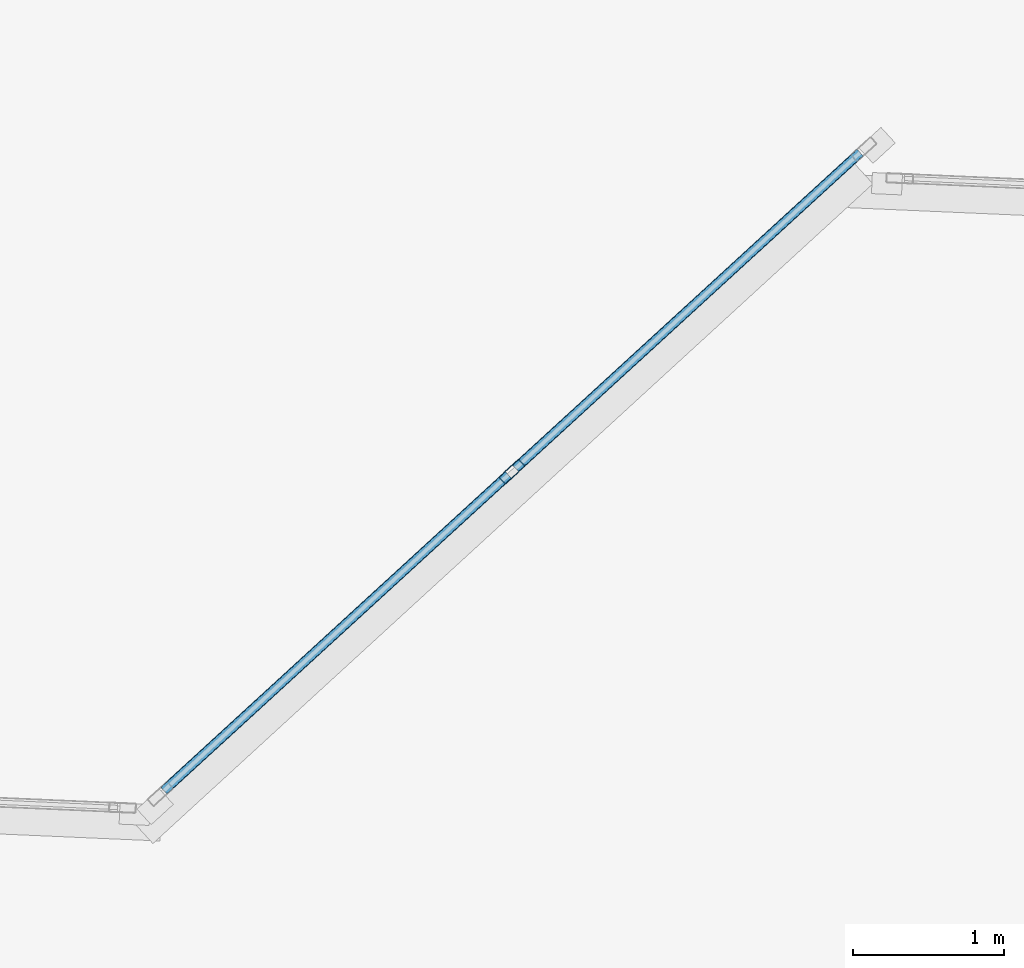
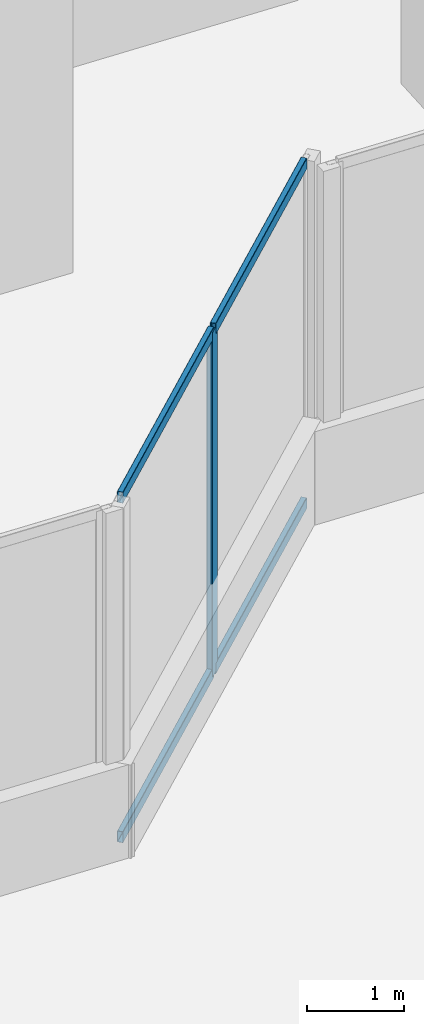
# One storey, part 7 of 33: 5 members, 1 element without a shape of its own.
"""IFC4 building model written with IfcOpenShell, lengths in metres."""

from ifc_helpers import new_model, si_unit, direction, frame, origin, origin_2d, place, context, subcontext, project, spatial, hollow_rectangle, extrude, source, transform, mapped, material, material_profile, profile_set, type_object, element, aggregate, save


model = new_model("IFC4")

# Units and contexts
model_context = context("Model", 3, precision=1e-05, world=origin(), true_north=direction((0.0, 1.0)))
body_context = subcontext(model_context, "Body", "Model", "MODEL_VIEW")
ifc_project = project(units=[si_unit("LENGTHUNIT", "METRE"), si_unit("AREAUNIT", "SQUARE_METRE"), si_unit("VOLUMEUNIT", "CUBIC_METRE"), si_unit("PLANEANGLEUNIT", "RADIAN"), si_unit("MASSUNIT", "GRAM", prefix="KILO")], contexts=[model_context])

# Site, building, storey
site_placement = place(None, origin())
site = spatial("IfcSite", under=ifc_project, at=site_placement, CompositionType="ELEMENT")
building_placement = place(site_placement, origin())
building = spatial("IfcBuilding", under=site, at=building_placement, Name="Torre Montelarca", CompositionType="ELEMENT")
storey_placement = place(building_placement, frame((0.0, 0.0, 32.800048828125)))
storey = spatial("IfcBuildingStorey", under=building, at=storey_placement, Name="L07", CompositionType="ELEMENT", Elevation=32.800048828125)

# Curtain wall, members
ifc_material_1 = material(Name="Insulated low-E laminated glass", Category="glass")
curtain_wall_type = type_object("IfcCurtainWallType", Name="CW-SYS-Z1", PredefinedType="USERDEFINED", material=ifc_material_1)
curtain_wall_placement = place(storey_placement, origin())
curtain_wall = element("IfcCurtainWall", 1, at=curtain_wall_placement, inside=storey, type_object=curtain_wall_type, Name="L07 Curtain Wall Run CW-T3-L07-E02-B1", ObjectType="UNITISED GLAZING", PredefinedType="USERDEFINED")
ifc_material_2 = material(Name="Anodised aluminium AA 6063-T6", Category="aluminium")
ifc_material_profile_1 = material_profile(ifc_material_2, hollow_rectangle(XDim=0.06494140625, YDim=0.179931640625, WallThickness=0.00390625, InnerFilletRadius=0.00390625, OuterFilletRadius=0.008056640625, at=origin_2d()), Name="ALU65X180X4", Category="aluminium")
ifc_profile_set_1 = profile_set([ifc_material_profile_1], Name="Anodised aluminium AA 6063-T6")
member_type_1 = type_object("IfcMemberType", Name="CWM-ALU180", PredefinedType="MULLION", material=ifc_profile_set_1)
shared_shape_1 = source(origin(), body_context, "Body", "SweptSolid", [
    extrude(hollow_rectangle(XDim=0.06494140625, YDim=0.179931640625, WallThickness=0.00390625, InnerFilletRadius=0.00390625, OuterFilletRadius=0.008056640625, at=origin_2d()), origin(), (0.0, 0.0, 1.0), 4.320068359375),
])
member_1_placement = place(storey_placement, frame((33.989501953125, 15.711669921875, 0.0), z_axis=(0.0, 0.0, 1.0), x_axis=(-0.675574618781, 0.737291621042, 0.0)))
member_1 = element("IfcMember", 2, at=member_1_placement, type_object=member_type_1, Name="CW mullion 2", PredefinedType="MULLION", context=body_context, shape_type="MappedRepresentation", body=[
    mapped(shared_shape_1, transform((0.0, 0.0, 0.0), scale=1.0)),
])
ifc_material_profile_2 = material_profile(ifc_material_2, hollow_rectangle(XDim=0.06494140625, YDim=0.139892578125, WallThickness=0.00390625, InnerFilletRadius=0.00390625, OuterFilletRadius=0.008056640625, at=origin_2d()), Name="ALU65X140X4", Category="aluminium")
ifc_profile_set_2 = profile_set([ifc_material_profile_2], Name="Anodised aluminium AA 6063-T6")
member_type_2 = type_object("IfcMemberType", Name="CWT-ALU140", PredefinedType="USERDEFINED", material=ifc_profile_set_2)
shared_shape_2 = source(origin(), body_context, "Body", "SweptSolid", [
    extrude(hollow_rectangle(XDim=0.06494140625, YDim=0.139892578125, WallThickness=0.00390625, InnerFilletRadius=0.00390625, OuterFilletRadius=0.008056640625, at=origin_2d()), origin(), (0.0, 0.0, 1.0), 3.102294921875),
])
member_2_placement = place(storey_placement, frame((31.67822265625, 13.59375, 0.032470703125), z_axis=(0.73728152185, 0.675585640418, 0.0), x_axis=(-0.675585640418, 0.73728152185, 0.0)))
member_2 = element("IfcMember", 3, at=member_2_placement, type_object=member_type_2, Name="CW transom 1.1", ObjectType="TRANSOM", PredefinedType="USERDEFINED", context=body_context, shape_type="MappedRepresentation", body=[
    mapped(shared_shape_2, transform((0.0, 0.0, 0.0), scale=1.0)),
])
member_3_placement = place(storey_placement, frame((31.67822265625, 13.59375, 4.287353515625), z_axis=(0.73728152185, 0.675585640418, 0.0), x_axis=(-0.675585640418, 0.73728152185, 0.0)))
member_3 = element("IfcMember", 4, at=member_3_placement, type_object=member_type_2, Name="CW transom 1.2", ObjectType="TRANSOM", PredefinedType="USERDEFINED", context=body_context, shape_type="MappedRepresentation", body=[
    mapped(shared_shape_2, transform((0.0, 0.0, 0.0), scale=1.0)),
])
member_4_placement = place(storey_placement, frame((34.013671875, 15.733642578125, 0.032470703125), z_axis=(0.73728152185, 0.675585640418, 0.0), x_axis=(-0.675585640418, 0.73728152185, 0.0)))
member_4 = element("IfcMember", 5, at=member_4_placement, type_object=member_type_2, Name="CW transom 2.1", ObjectType="TRANSOM", PredefinedType="USERDEFINED", context=body_context, shape_type="MappedRepresentation", body=[
    mapped(shared_shape_2, transform((0.0, 0.0, 0.0), scale=1.0)),
])
member_5_placement = place(storey_placement, frame((34.013671875, 15.733642578125, 4.287353515625), z_axis=(0.73728152185, 0.675585640418, 0.0), x_axis=(-0.675585640418, 0.73728152185, 0.0)))
member_5 = element("IfcMember", 6, at=member_5_placement, type_object=member_type_2, Name="CW transom 2.2", ObjectType="TRANSOM", PredefinedType="USERDEFINED", context=body_context, shape_type="MappedRepresentation", body=[
    mapped(shared_shape_2, transform((0.0, 0.0, 0.0), scale=1.0)),
])
aggregate(curtain_wall, [member_1, member_2, member_3, member_4, member_5])

save(model, "model.ifc")
